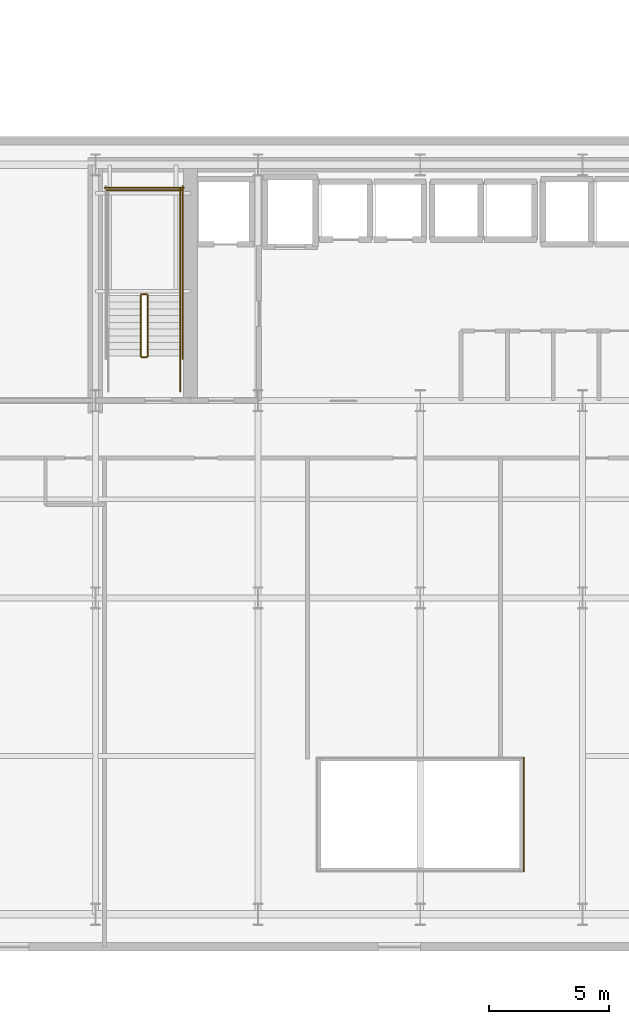
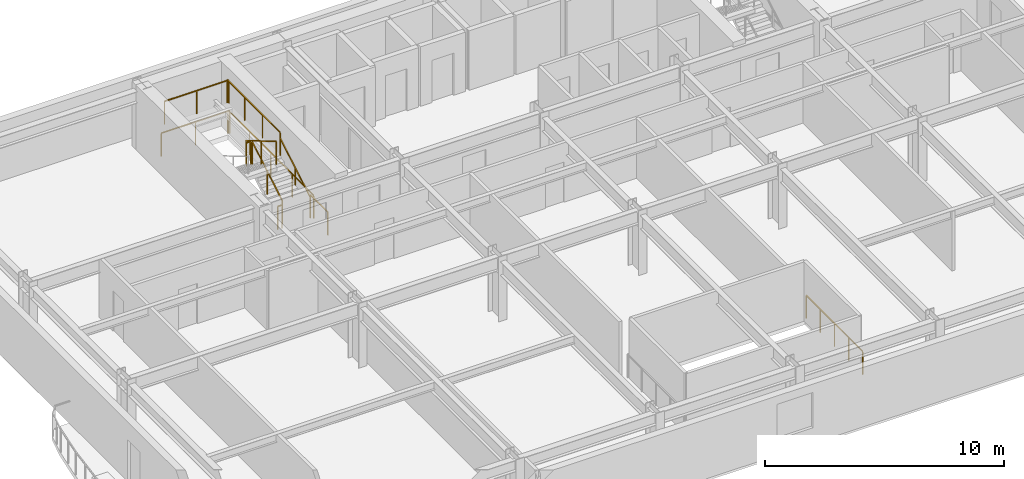
# One storey, part 12 of 15: 11 railings.
"""IFC4 building model written with IfcOpenShell, lengths in metres."""

from ifc_helpers import new_model, si_unit, direction, frame, origin, origin_2d, place, context, subcontext, project, spatial, rectangle, extrude, material, type_object, element, save


model = new_model("IFC4")

# Units and contexts
model_context = context("Model", 3, precision=1e-05, world=origin(), true_north=direction((0.0, 1.0)))
body_context = subcontext(model_context, "Body", "Model", "MODEL_VIEW")
ifc_project = project(units=[si_unit("LENGTHUNIT", "METRE"), si_unit("AREAUNIT", "SQUARE_METRE"), si_unit("VOLUMEUNIT", "CUBIC_METRE"), si_unit("PLANEANGLEUNIT", "RADIAN"), si_unit("MASSUNIT", "GRAM", prefix="KILO")], contexts=[model_context])

# Site, building, storey
site_placement = place(None, origin())
site = spatial("IfcSite", under=ifc_project, at=site_placement, CompositionType="ELEMENT")
building_placement = place(site_placement, origin())
building = spatial("IfcBuilding", under=site, at=building_placement, Name="Haevon Station Towers", CompositionType="ELEMENT")
storey_placement = place(building_placement, frame((0.0, 0.0, 63.60009765625)))
storey = spatial("IfcBuildingStorey", under=building, at=storey_placement, Name="L16", CompositionType="ELEMENT", Elevation=63.60009765625)

# Railings
ifc_material = material(Name="Steel S355", Category="steel")
railing_type_1 = type_object("IfcRailingType", Name="BAL-ATR1200", PredefinedType="BALUSTRADE", material=ifc_material)
railing_1_placement = place(storey_placement, frame((41.80517578125, 18.642333984375, 0.0)))
element("IfcRailing", 1, at=railing_1_placement, inside=storey, type_object=railing_type_1, Name="L16 Atrium Void Balustrade 2", PredefinedType="BALUSTRADE", context=body_context, shape_type="SweptSolid", body=[
    extrude(rectangle(XDim=0.048095703125, YDim=0.048095703125, at=origin_2d()), frame((0.0, 0.0, 1.17578125), z_axis=(0.0, 1.0, 0.0), x_axis=(-1.0, 0.0, 0.0)), (0.0, 0.0, 1.0), 4.71533203125),
    extrude(rectangle(XDim=0.0419921875, YDim=0.0419921875, at=origin_2d()), origin(), (0.0, 0.0, 1.0), 1.15185546875),
    extrude(rectangle(XDim=0.0419921875, YDim=0.0419921875, at=origin_2d()), frame((0.0, 1.1787109375, 0.0)), (0.0, 0.0, 1.0), 1.15185546875),
    extrude(rectangle(XDim=0.0419921875, YDim=0.0419921875, at=origin_2d()), frame((0.0, 2.357666015625, 0.0)), (0.0, 0.0, 1.0), 1.15185546875),
    extrude(rectangle(XDim=0.0419921875, YDim=0.0419921875, at=origin_2d()), frame((0.0, 3.53662109375, 0.0)), (0.0, 0.0, 1.0), 1.15185546875),
    extrude(rectangle(XDim=0.0419921875, YDim=0.0419921875, at=origin_2d()), frame((0.0, 4.71533203125, 0.0)), (0.0, 0.0, 1.0), 1.15185546875),
])
railing_type_2 = type_object("IfcRailingType", Name="GRD-STR1200", PredefinedType="GUARDRAIL", material=ifc_material)
railing_2_placement = place(storey_placement, frame((26.179931640625, 40.050048828125, 0.164794921875)))
element("IfcRailing", 2, at=railing_2_placement, inside=storey, type_object=railing_type_2, Name="L16 ST1 Stair Guard 1", PredefinedType="GUARDRAIL", context=body_context, shape_type="SweptSolid", body=[
    extrude(rectangle(XDim=0.048095703125, YDim=0.048095703125, at=origin_2d()), frame((0.0, 0.0, 1.17578125), z_axis=(0.0, 0.86152411907, 0.507716645641), x_axis=(-1.0, 0.0, 0.0)), (0.0, 0.0, 1.0), 2.925048828125),
    extrude(rectangle(XDim=0.0419921875, YDim=0.0419921875, at=origin_2d()), origin(), (0.0, 0.0, 1.0), 1.15185546875),
    extrude(rectangle(XDim=0.0419921875, YDim=0.0419921875, at=origin_2d()), frame((0.0, 1.260009765625, 0.74267578125)), (0.0, 0.0, 1.0), 1.15185546875),
    extrude(rectangle(XDim=0.0419921875, YDim=0.0419921875, at=origin_2d()), frame((0.0, 2.52001953125, 1.485107421875)), (0.0, 0.0, 1.0), 1.15185546875),
])
railing_3_placement = place(storey_placement, frame((26.1298828125, 42.6201171875, 1.64990234375)))
element("IfcRailing", 3, at=railing_3_placement, inside=storey, type_object=railing_type_2, Name="L16 ST1 Stair Guard 2", PredefinedType="GUARDRAIL", context=body_context, shape_type="SweptSolid", body=[
    extrude(rectangle(XDim=0.048095703125, YDim=0.048095703125, at=origin_2d()), frame((0.0, 0.0, 1.17578125), z_axis=(-1.0, 0.0, 0.0), x_axis=(0.0, -1.0, 0.0)), (0.0, 0.0, 1.0), 0.199951171875),
    extrude(rectangle(XDim=0.0419921875, YDim=0.0419921875, at=origin_2d()), origin(), (0.0, 0.0, 1.0), 1.15185546875),
    extrude(rectangle(XDim=0.0419921875, YDim=0.0419921875, at=origin_2d()), frame((-0.199951171875, 0.0, 0.0)), (0.0, 0.0, 1.0), 1.15185546875),
])
railing_4_placement = place(storey_placement, frame((27.530029296875, 42.570068359375, 1.64990234375)))
element("IfcRailing", 4, at=railing_4_placement, inside=storey, type_object=railing_type_2, Name="L16 ST1 Stair Guard 3", PredefinedType="GUARDRAIL", context=body_context, shape_type="SweptSolid", body=[
    extrude(rectangle(XDim=0.048095703125, YDim=0.048095703125, at=origin_2d()), frame((0.0, 0.0, 1.17578125), z_axis=(0.0, 1.0, 0.0), x_axis=(-1.0, 0.0, 0.0)), (0.0, 0.0, 1.0), 4.429931640625),
    extrude(rectangle(XDim=0.0419921875, YDim=0.0419921875, at=origin_2d()), origin(), (0.0, 0.0, 1.0), 1.15185546875),
    extrude(rectangle(XDim=0.0419921875, YDim=0.0419921875, at=origin_2d()), frame((0.0, 1.4765625, 0.0)), (0.0, 0.0, 1.0), 1.15185546875),
    extrude(rectangle(XDim=0.0419921875, YDim=0.0419921875, at=origin_2d()), frame((0.0, 2.953369140625, 0.0)), (0.0, 0.0, 1.0), 1.15185546875),
    extrude(rectangle(XDim=0.0419921875, YDim=0.0419921875, at=origin_2d()), frame((0.0, 4.429931640625, 0.0)), (0.0, 0.0, 1.0), 1.15185546875),
])
railing_5_placement = place(storey_placement, frame((27.580078125, 46.949951171875, 1.64990234375)))
element("IfcRailing", 5, at=railing_5_placement, inside=storey, type_object=railing_type_2, Name="L16 ST1 Stair Guard 5", PredefinedType="GUARDRAIL", context=body_context, shape_type="SweptSolid", body=[
    extrude(rectangle(XDim=0.048095703125, YDim=0.048095703125, at=origin_2d()), frame((0.0, 0.0, 1.17578125), z_axis=(-1.0, 0.0, 0.0), x_axis=(0.0, -1.0, 0.0)), (0.0, 0.0, 1.0), 3.10009765625),
    extrude(rectangle(XDim=0.0419921875, YDim=0.0419921875, at=origin_2d()), origin(), (0.0, 0.0, 1.0), 1.15185546875),
    extrude(rectangle(XDim=0.0419921875, YDim=0.0419921875, at=origin_2d()), frame((-1.550048828125, 0.0, 0.0)), (0.0, 0.0, 1.0), 1.15185546875),
    extrude(rectangle(XDim=0.0419921875, YDim=0.0419921875, at=origin_2d()), frame((-3.10009765625, 0.0, 0.0)), (0.0, 0.0, 1.0), 1.15185546875),
])
railing_6_placement = place(storey_placement, frame((25.8798828125, 42.570068359375, 1.81494140625)))
element("IfcRailing", 6, at=railing_6_placement, inside=storey, type_object=railing_type_2, Name="L16 ST1 Stair Guard 6", PredefinedType="GUARDRAIL", context=body_context, shape_type="SweptSolid", body=[
    extrude(rectangle(XDim=0.048095703125, YDim=0.048095703125, at=origin_2d()), frame((0.0, 0.0, 1.17578125), z_axis=(0.0, -0.861560626758, 0.507654692109), x_axis=(1.0, 0.0, 0.0)), (0.0, 0.0, 1.0), 2.925048828125),
    extrude(rectangle(XDim=0.0419921875, YDim=0.0419921875, at=origin_2d()), origin(), (0.0, 0.0, 1.0), 1.15185546875),
    extrude(rectangle(XDim=0.0419921875, YDim=0.0419921875, at=origin_2d()), frame((0.0, -1.260009765625, 0.742431640625)), (0.0, 0.0, 1.0), 1.15185546875),
    extrude(rectangle(XDim=0.0419921875, YDim=0.0419921875, at=origin_2d()), frame((0.0, -2.52001953125, 1.48486328125)), (0.0, 0.0, 1.0), 1.15185546875),
])
railing_7_placement = place(storey_placement, frame((26.1298828125, 40.0, 0.0)))
element("IfcRailing", 7, at=railing_7_placement, inside=storey, type_object=railing_type_2, Name="L16 ST1 Stair Guard 7", PredefinedType="GUARDRAIL", context=body_context, shape_type="SweptSolid", body=[
    extrude(rectangle(XDim=0.048095703125, YDim=0.048095703125, at=origin_2d()), frame((0.0, 0.0, 1.17578125), z_axis=(-1.0, 0.0, 0.0), x_axis=(0.0, -1.0, 0.0)), (0.0, 0.0, 1.0), 0.199951171875),
    extrude(rectangle(XDim=0.0419921875, YDim=0.0419921875, at=origin_2d()), origin(), (0.0, 0.0, 1.0), 1.15185546875),
    extrude(rectangle(XDim=0.0419921875, YDim=0.0419921875, at=origin_2d()), frame((-0.199951171875, 0.0, 0.0)), (0.0, 0.0, 1.0), 1.15185546875),
])
railing_8_placement = place(storey_placement, frame((27.530029296875, 38.60009765625, 0.0)))
element("IfcRailing", 8, at=railing_8_placement, inside=storey, type_object=railing_type_2, Name="L16 ST1 Stair Guard 8", PredefinedType="GUARDRAIL", context=body_context, shape_type="SweptSolid", body=[
    extrude(rectangle(XDim=0.048095703125, YDim=0.048095703125, at=origin_2d()), frame((0.0, 0.0, 1.17578125), z_axis=(0.0, 1.0, 0.0), x_axis=(-1.0, 0.0, 0.0)), (0.0, 0.0, 1.0), 1.449951171875),
    extrude(rectangle(XDim=0.0419921875, YDim=0.0419921875, at=origin_2d()), origin(), (0.0, 0.0, 1.0), 1.15185546875),
    extrude(rectangle(XDim=0.0419921875, YDim=0.0419921875, at=origin_2d()), frame((0.0, 1.449951171875, 0.0)), (0.0, 0.0, 1.0), 1.15185546875),
])
railing_9_placement = place(storey_placement, frame((27.6298828125, 39.949951171875, 0.0)))
element("IfcRailing", 9, at=railing_9_placement, inside=storey, type_object=railing_type_2, Name="L16 ST1 Stair Guard 10", PredefinedType="GUARDRAIL", context=body_context, shape_type="SweptSolid", body=[
    extrude(rectangle(XDim=0.048095703125, YDim=0.048095703125, at=origin_2d()), frame((0.0, 0.0, 1.17578125), z_axis=(0.0, 1.0, 0.0), x_axis=(-1.0, 0.0, 0.0)), (0.0, 0.0, 1.0), 7.150146484375),
    extrude(rectangle(XDim=0.0419921875, YDim=0.0419921875, at=origin_2d()), origin(), (0.0, 0.0, 1.0), 1.15185546875),
    extrude(rectangle(XDim=0.0419921875, YDim=0.0419921875, at=origin_2d()), frame((0.0, 1.78759765625, 0.0)), (0.0, 0.0, 1.0), 1.15185546875),
    extrude(rectangle(XDim=0.0419921875, YDim=0.0419921875, at=origin_2d()), frame((0.0, 3.5751953125, 0.0)), (0.0, 0.0, 1.0), 1.15185546875),
    extrude(rectangle(XDim=0.0419921875, YDim=0.0419921875, at=origin_2d()), frame((0.0, 5.362548828125, 0.0)), (0.0, 0.0, 1.0), 1.15185546875),
    extrude(rectangle(XDim=0.0419921875, YDim=0.0419921875, at=origin_2d()), frame((0.0, 7.150146484375, 0.0)), (0.0, 0.0, 1.0), 1.15185546875),
])
railing_10_placement = place(storey_placement, frame((27.679931640625, 47.050048828125, 0.0)))
element("IfcRailing", 10, at=railing_10_placement, inside=storey, type_object=railing_type_2, Name="L16 ST1 Stair Guard 12", PredefinedType="GUARDRAIL", context=body_context, shape_type="SweptSolid", body=[
    extrude(rectangle(XDim=0.048095703125, YDim=0.048095703125, at=origin_2d()), frame((0.0, 0.0, 1.17578125), z_axis=(-1.0, 0.0, 0.0), x_axis=(0.0, -1.0, 0.0)), (0.0, 0.0, 1.0), 3.300048828125),
    extrude(rectangle(XDim=0.0419921875, YDim=0.0419921875, at=origin_2d()), origin(), (0.0, 0.0, 1.0), 1.15185546875),
    extrude(rectangle(XDim=0.0419921875, YDim=0.0419921875, at=origin_2d()), frame((-1.64990234375, 0.0, 0.0)), (0.0, 0.0, 1.0), 1.15185546875),
    extrude(rectangle(XDim=0.0419921875, YDim=0.0419921875, at=origin_2d()), frame((-3.300048828125, 0.0, 0.0)), (0.0, 0.0, 1.0), 1.15185546875),
])
railing_type_3 = type_object("IfcRailingType", Name="HND-STR900", PredefinedType="HANDRAIL", material=ifc_material)
railing_11_placement = place(storey_placement, frame((27.530029296875, 40.050048828125, 0.164794921875)))
element("IfcRailing", 11, at=railing_11_placement, inside=storey, type_object=railing_type_3, Name="L16 ST1 Stair Handrail 1", PredefinedType="HANDRAIL", context=body_context, shape_type="SweptSolid", body=[
    extrude(rectangle(XDim=0.048095703125, YDim=0.048095703125, at=origin_2d()), frame((0.0, 0.0, 0.8759765625), z_axis=(0.0, 0.86152411907, 0.507716645641), x_axis=(-1.0, 0.0, 0.0)), (0.0, 0.0, 1.0), 2.925048828125),
    extrude(rectangle(XDim=0.0419921875, YDim=0.0419921875, at=origin_2d()), origin(), (0.0, 0.0, 1.0), 0.851806640625),
    extrude(rectangle(XDim=0.0419921875, YDim=0.0419921875, at=origin_2d()), frame((0.0, 1.260009765625, 0.74267578125)), (0.0, 0.0, 1.0), 0.851806640625),
    extrude(rectangle(XDim=0.0419921875, YDim=0.0419921875, at=origin_2d()), frame((0.0, 2.52001953125, 1.485107421875)), (0.0, 0.0, 1.0), 0.851806640625),
])

save(model, "model.ifc")
